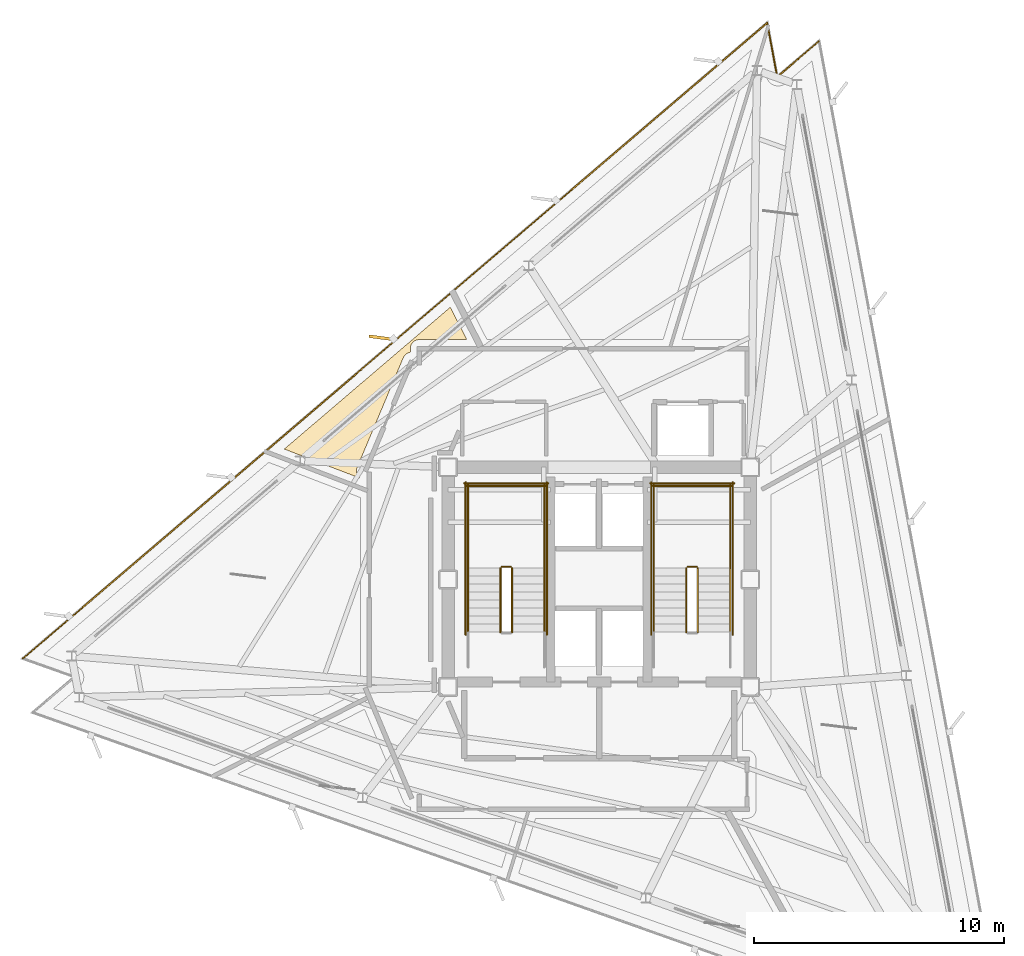
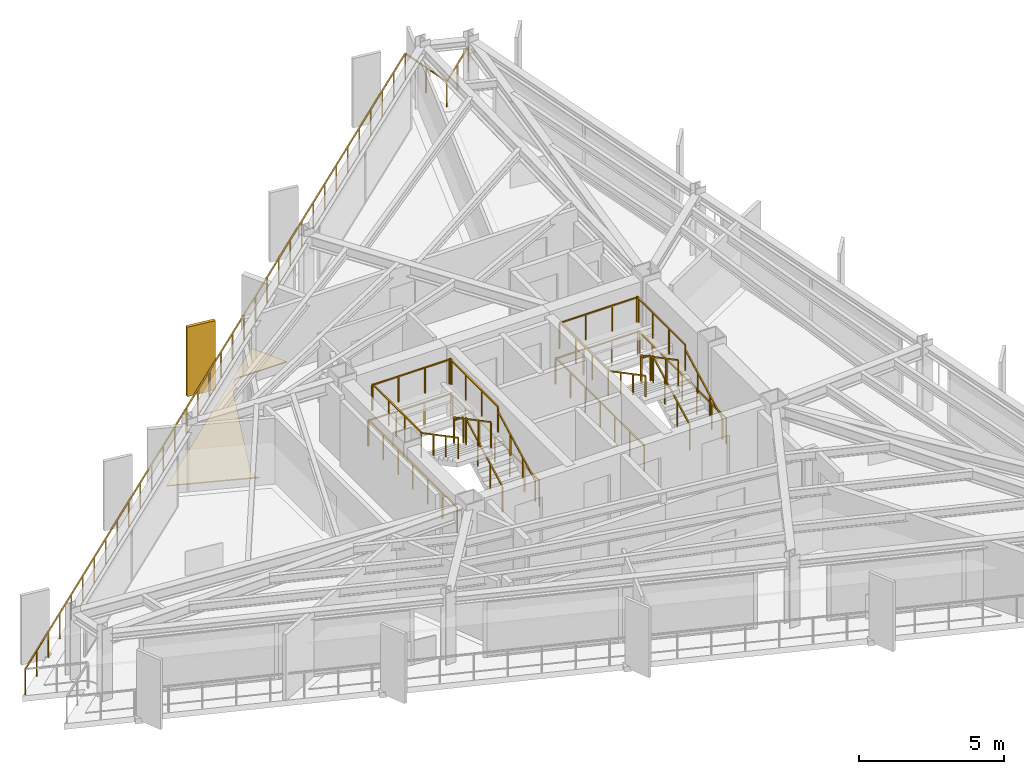
# One storey, part 12 of 14: 23 railings, 1 covering, 1 shading device.
"""IFC4 building model written with IfcOpenShell, lengths in metres."""

from ifc_helpers import new_model, si_unit, direction, frame, origin, origin_2d, place, context, subcontext, project, spatial, polyline, rectangle, outline, extrude, material, layer, layer_set, type_object, element, save


model = new_model("IFC4")

# Units and contexts
model_context = context("Model", 3, precision=1e-05, world=origin(), true_north=direction((0.0, 1.0)))
body_context = subcontext(model_context, "Body", "Model", "MODEL_VIEW")
ifc_project = project(units=[si_unit("LENGTHUNIT", "METRE"), si_unit("AREAUNIT", "SQUARE_METRE"), si_unit("VOLUMEUNIT", "CUBIC_METRE"), si_unit("PLANEANGLEUNIT", "RADIAN"), si_unit("MASSUNIT", "GRAM", prefix="KILO")], contexts=[model_context])

# Site, building, storey
site_placement = place(None, origin())
site = spatial("IfcSite", under=ifc_project, at=site_placement, CompositionType="ELEMENT")
building_placement = place(site_placement, origin())
building = spatial("IfcBuilding", under=site, at=building_placement, Name="Rocaltana Carrier Exchange", CompositionType="ELEMENT")
storey_placement = place(building_placement, frame((0.0, 0.0, 178.39990234375)))
storey = spatial("IfcBuildingStorey", under=building, at=storey_placement, Name="L56", CompositionType="ELEMENT", Elevation=178.39990234375)

# Covering
ifc_material_1 = material(Name="Honed Bogota Sandstone Tile", Category="masonry")
ifc_layer_1 = layer(ifc_material_1, 0.0400390625)
ifc_layer_set_1 = layer_set([ifc_layer_1], Name="Honed Bogota Sandstone Tile")
covering_type = type_object("IfcCoveringType", Name="Honed Stone Lobby Flooring 40", PredefinedType="FLOORING", material=ifc_layer_set_1)
covering_placement = place(storey_placement, origin())
element("IfcCovering", 1, at=covering_placement, inside=storey, type_object=covering_type, Name="L56 Client Reception Foyer Finish Floor", PredefinedType="FLOORING", context=body_context, shape_type="SweptSolid", body=[
    extrude(outline(polyline([(-9.571044921875, 4.0595703125), (-12.610595703125, 5.226318359375), (-5.960693359375, 10.90576171875), (-5.300537109375, 9.610107421875), (-7.199951171875, 9.610107421875), (-7.213623046875, 9.609619140625), (-7.2216796875, 9.609375), (-7.248779296875, 9.606689453125), (-7.256591796875, 9.60546875), (-7.28369140625, 9.60009765625), (-7.291259765625, 9.59814453125), (-7.317626953125, 9.590087890625), (-7.324951171875, 9.58740234375), (-7.350341796875, 9.576904296875), (-7.357421875, 9.57373046875), (-7.381591796875, 9.560791015625), (-7.388427734375, 9.556640625), (-7.4111328125, 9.54150390625), (-7.41748046875, 9.53662109375), (-7.438720703125, 9.519287109375), (-7.444580078125, 9.513916015625), (-7.464111328125, 9.49462890625), (-7.46923828125, 9.48876953125), (-7.48681640625, 9.467529296875), (-7.491455078125, 9.461181640625), (-7.506591796875, 9.4384765625), (-7.5107421875, 9.431640625), (-7.523681640625, 9.407470703125), (-7.527099609375, 9.400390625), (-7.53759765625, 9.375), (-7.540283203125, 9.36767578125), (-7.548095703125, 9.34130859375), (-7.550048828125, 9.33349609375), (-7.555419921875, 9.306640625), (-7.556640625, 9.298828125), (-7.559326171875, 9.271484375), (-7.559814453125, 9.263671875), (-7.56005859375, 9.25), (-7.56005859375, 9.106689453125), (-7.563720703125, 9.106201171875), (-7.5908203125, 9.100830078125), (-7.598388671875, 9.09912109375), (-7.624755859375, 9.09130859375), (-7.632080078125, 9.088623046875), (-7.65771484375, 9.078125), (-7.664794921875, 9.074951171875), (-7.68896484375, 9.06201171875), (-7.69580078125, 9.05810546875), (-7.71875, 9.04296875), (-7.72509765625, 9.038330078125), (-7.746337890625, 9.02099609375), (-7.752197265625, 9.015625), (-7.771728515625, 8.996337890625), (-7.777099609375, 8.990478515625), (-7.794677734375, 8.969482421875), (-7.79931640625, 8.963134765625), (-7.814697265625, 8.9404296875), (-7.818603515625, 8.93359375), (-7.831787109375, 8.909423828125), (-7.835205078125, 8.90234375), (-7.8408203125, 8.889892578125), (-9.69091796875, 4.489990234375), (-9.69580078125, 4.47705078125), (-9.698486328125, 4.4697265625), (-9.706787109375, 4.443603515625), (-9.70849609375, 4.435791015625), (-9.714111328125, 4.408935546875), (-9.71533203125, 4.401123046875), (-9.71826171875, 4.373779296875), (-9.718505859375, 4.365966796875), (-9.71875, 4.33837890625), (-9.718505859375, 4.330810546875), (-9.7158203125, 4.30322265625), (-9.714599609375, 4.295654296875), (-9.70947265625, 4.2685546875), (-9.70751953125, 4.260986328125), (-9.69970703125, 4.234619140625), (-9.697265625, 4.227294921875), (-9.686767578125, 4.201904296875), (-9.68359375, 4.194580078125), (-9.670654296875, 4.17041015625), (-9.666748046875, 4.16357421875), (-9.651611328125, 4.140625), (-9.64697265625, 4.134521484375), (-9.629638671875, 4.113037109375), (-9.624267578125, 4.107177734375), (-9.60498046875, 4.087646484375), (-9.59912109375, 4.082275390625), (-9.578125, 4.064697265625), (-9.57177734375, 4.06005859375), (-9.571044921875, 4.0595703125)])), origin(), (0.0, 0.0, 1.0), 0.0400390625),
])

# Railings
ifc_material_2 = material(Name="Brushed Architectural Stainless Tube", Category="steel")
ifc_layer_2 = layer(ifc_material_2, 0.048095703125)
ifc_layer_set_2 = layer_set([ifc_layer_2], Name="Brushed Architectural Stainless Tube")
railing_type_1 = type_object("IfcRailingType", Name="Stair Wall Handrail 920", PredefinedType="HANDRAIL", material=ifc_layer_set_2)
railing_1_placement = place(storey_placement, frame((-2.18994140625, -2.10009765625, 0.1689453125)))
element("IfcRailing", 2, at=railing_1_placement, inside=storey, type_object=railing_type_1, Name="L56 ST-1 stair handrail 1", PredefinedType="HANDRAIL", context=body_context, shape_type="SweptSolid", body=[
    extrude(rectangle(XDim=0.048095703125, YDim=0.048095703125, at=origin_2d()), frame((0.0, 0.0, 0.8759765625), z_axis=(0.0, 0.884394423565, 0.466740295633), x_axis=(-1.0, 0.0, 0.0)), (0.0, 0.0, 1.0), 2.894775390625),
    extrude(rectangle(XDim=0.0419921875, YDim=0.0419921875, at=origin_2d()), origin(), (0.0, 0.0, 1.0), 0.851806640625),
    extrude(rectangle(XDim=0.0419921875, YDim=0.0419921875, at=origin_2d()), frame((0.0, 0.853271484375, 0.450439453125)), (0.0, 0.0, 1.0), 0.851806640625),
    extrude(rectangle(XDim=0.0419921875, YDim=0.0419921875, at=origin_2d()), frame((0.0, 1.706787109375, 0.900634765625)), (0.0, 0.0, 1.0), 0.851806640625),
    extrude(rectangle(XDim=0.0419921875, YDim=0.0419921875, at=origin_2d()), frame((0.0, 2.56005859375, 1.35107421875)), (0.0, 0.0, 1.0), 0.851806640625),
])
railing_2_placement = place(storey_placement, frame((-5.25, 0.4599609375, 1.68896484375)))
element("IfcRailing", 3, at=railing_2_placement, inside=storey, type_object=railing_type_1, Name="L56 ST-1 stair handrail 2", PredefinedType="HANDRAIL", context=body_context, shape_type="SweptSolid", body=[
    extrude(rectangle(XDim=0.048095703125, YDim=0.048095703125, at=origin_2d()), frame((0.0, 0.0, 0.8759765625), z_axis=(0.0, -0.884394423565, 0.466740295633), x_axis=(1.0, 0.0, 0.0)), (0.0, 0.0, 1.0), 2.894775390625),
    extrude(rectangle(XDim=0.0419921875, YDim=0.0419921875, at=origin_2d()), origin(), (0.0, 0.0, 1.0), 0.851806640625),
    extrude(rectangle(XDim=0.0419921875, YDim=0.0419921875, at=origin_2d()), frame((0.0, -0.853271484375, 0.450439453125)), (0.0, 0.0, 1.0), 0.851806640625),
    extrude(rectangle(XDim=0.0419921875, YDim=0.0419921875, at=origin_2d()), frame((0.0, -1.706787109375, 0.900634765625)), (0.0, 0.0, 1.0), 0.851806640625),
    extrude(rectangle(XDim=0.0419921875, YDim=0.0419921875, at=origin_2d()), frame((0.0, -2.56005859375, 1.35107421875)), (0.0, 0.0, 1.0), 0.851806640625),
])
railing_3_placement = place(storey_placement, frame((5.25, -2.10009765625, 0.1689453125)))
element("IfcRailing", 4, at=railing_3_placement, inside=storey, type_object=railing_type_1, Name="L56 ST-2 stair handrail 1", PredefinedType="HANDRAIL", context=body_context, shape_type="SweptSolid", body=[
    extrude(rectangle(XDim=0.048095703125, YDim=0.048095703125, at=origin_2d()), frame((0.0, 0.0, 0.8759765625), z_axis=(0.0, 0.884394423565, 0.466740295633), x_axis=(-1.0, 0.0, 0.0)), (0.0, 0.0, 1.0), 2.894775390625),
    extrude(rectangle(XDim=0.0419921875, YDim=0.0419921875, at=origin_2d()), origin(), (0.0, 0.0, 1.0), 0.851806640625),
    extrude(rectangle(XDim=0.0419921875, YDim=0.0419921875, at=origin_2d()), frame((0.0, 0.853271484375, 0.450439453125)), (0.0, 0.0, 1.0), 0.851806640625),
    extrude(rectangle(XDim=0.0419921875, YDim=0.0419921875, at=origin_2d()), frame((0.0, 1.706787109375, 0.900634765625)), (0.0, 0.0, 1.0), 0.851806640625),
    extrude(rectangle(XDim=0.0419921875, YDim=0.0419921875, at=origin_2d()), frame((0.0, 2.56005859375, 1.35107421875)), (0.0, 0.0, 1.0), 0.851806640625),
])
railing_4_placement = place(storey_placement, frame((2.18994140625, 0.4599609375, 1.68896484375)))
element("IfcRailing", 5, at=railing_4_placement, inside=storey, type_object=railing_type_1, Name="L56 ST-2 stair handrail 2", PredefinedType="HANDRAIL", context=body_context, shape_type="SweptSolid", body=[
    extrude(rectangle(XDim=0.048095703125, YDim=0.048095703125, at=origin_2d()), frame((0.0, 0.0, 0.8759765625), z_axis=(0.0, -0.884394423565, 0.466740295633), x_axis=(1.0, 0.0, 0.0)), (0.0, 0.0, 1.0), 2.894775390625),
    extrude(rectangle(XDim=0.0419921875, YDim=0.0419921875, at=origin_2d()), origin(), (0.0, 0.0, 1.0), 0.851806640625),
    extrude(rectangle(XDim=0.0419921875, YDim=0.0419921875, at=origin_2d()), frame((0.0, -0.853271484375, 0.450439453125)), (0.0, 0.0, 1.0), 0.851806640625),
    extrude(rectangle(XDim=0.0419921875, YDim=0.0419921875, at=origin_2d()), frame((0.0, -1.706787109375, 0.900634765625)), (0.0, 0.0, 1.0), 0.851806640625),
    extrude(rectangle(XDim=0.0419921875, YDim=0.0419921875, at=origin_2d()), frame((0.0, -2.56005859375, 1.35107421875)), (0.0, 0.0, 1.0), 0.851806640625),
])
ifc_material_3 = material(Name="Powder-Coated Aluminium 6063-T6", Category="aluminium")
ifc_layer_3 = layer(ifc_material_3, 0.048095703125)
ifc_layer_set_3 = layer_set([ifc_layer_3], Name="Powder-Coated Aluminium 6063-T6")
railing_type_2 = type_object("IfcRailingType", Name="Stair Well Guardrail 1100", PredefinedType="GUARDRAIL", material=ifc_layer_set_3)
railing_5_placement = place(storey_placement, frame((-3.489990234375, -2.10009765625, 0.1689453125)))
element("IfcRailing", 6, at=railing_5_placement, inside=storey, type_object=railing_type_2, Name="L56 ST-1 stair guard 1", PredefinedType="GUARDRAIL", context=body_context, shape_type="SweptSolid", body=[
    extrude(rectangle(XDim=0.048095703125, YDim=0.048095703125, at=origin_2d()), frame((0.0, 0.0, 1.076171875), z_axis=(0.0, 0.884394423565, 0.466740295633), x_axis=(-1.0, 0.0, 0.0)), (0.0, 0.0, 1.0), 2.894775390625),
    extrude(rectangle(XDim=0.0419921875, YDim=0.0419921875, at=origin_2d()), origin(), (0.0, 0.0, 1.0), 1.052001953125),
    extrude(rectangle(XDim=0.0419921875, YDim=0.0419921875, at=origin_2d()), frame((0.0, 0.853271484375, 0.450439453125)), (0.0, 0.0, 1.0), 1.052001953125),
    extrude(rectangle(XDim=0.0419921875, YDim=0.0419921875, at=origin_2d()), frame((0.0, 1.706787109375, 0.900634765625)), (0.0, 0.0, 1.0), 1.052001953125),
    extrude(rectangle(XDim=0.0419921875, YDim=0.0419921875, at=origin_2d()), frame((0.0, 2.56005859375, 1.35107421875)), (0.0, 0.0, 1.0), 1.052001953125),
])
railing_6_placement = place(storey_placement, frame((-3.5400390625, 0.510009765625, 1.52001953125)))
element("IfcRailing", 7, at=railing_6_placement, inside=storey, type_object=railing_type_2, Name="L56 ST-1 stair guard 2", PredefinedType="GUARDRAIL", context=body_context, shape_type="SweptSolid", body=[
    extrude(rectangle(XDim=0.048095703125, YDim=0.048095703125, at=origin_2d()), frame((0.0, 0.0, 1.076171875), z_axis=(-1.0, 0.0, 0.0), x_axis=(0.0, -1.0, 0.0)), (0.0, 0.0, 1.0), 0.35986328125),
    extrude(rectangle(XDim=0.0419921875, YDim=0.0419921875, at=origin_2d()), origin(), (0.0, 0.0, 1.0), 1.052001953125),
    extrude(rectangle(XDim=0.0419921875, YDim=0.0419921875, at=origin_2d()), frame((-0.35986328125, 0.0, 0.0)), (0.0, 0.0, 1.0), 1.052001953125),
])
for number, where, name in (
    (8, (-2.18994140625, 0.4599609375, 1.52001953125), "L56 ST-1 stair guard 3"),
    (9, (-5.25, 0.4599609375, 1.52001953125), "L56 ST-1 stair guard 4"),
):
    element("IfcRailing", number, at=place(storey_placement, frame(where)), inside=storey, type_object=railing_type_2, Name=name, PredefinedType="GUARDRAIL", context=body_context, shape_type="SweptSolid", body=[
        extrude(rectangle(XDim=0.048095703125, YDim=0.048095703125, at=origin_2d()), frame((0.0, 0.0, 1.076171875), z_axis=(0.0, 1.0, 0.0), x_axis=(-1.0, 0.0, 0.0)), (0.0, 0.0, 1.0), 3.340087890625),
        extrude(rectangle(XDim=0.0419921875, YDim=0.0419921875, at=origin_2d()), origin(), (0.0, 0.0, 1.0), 1.052001953125),
        extrude(rectangle(XDim=0.0419921875, YDim=0.0419921875, at=origin_2d()), frame((0.0, 1.11328125, 0.0)), (0.0, 0.0, 1.0), 1.052001953125),
        extrude(rectangle(XDim=0.0419921875, YDim=0.0419921875, at=origin_2d()), frame((0.0, 2.226806640625, 0.0)), (0.0, 0.0, 1.0), 1.052001953125),
        extrude(rectangle(XDim=0.0419921875, YDim=0.0419921875, at=origin_2d()), frame((0.0, 3.340087890625, 0.0)), (0.0, 0.0, 1.0), 1.052001953125),
    ])
railing_7_placement = place(storey_placement, frame((-2.139892578125, 3.75, 1.52001953125)))
element("IfcRailing", 10, at=railing_7_placement, inside=storey, type_object=railing_type_2, Name="L56 ST-1 stair guard 5", PredefinedType="GUARDRAIL", context=body_context, shape_type="SweptSolid", body=[
    extrude(rectangle(XDim=0.048095703125, YDim=0.048095703125, at=origin_2d()), frame((0.0, 0.0, 1.076171875), z_axis=(-1.0, 0.0, 0.0), x_axis=(0.0, -1.0, 0.0)), (0.0, 0.0, 1.0), 3.16015625),
    extrude(rectangle(XDim=0.0419921875, YDim=0.0419921875, at=origin_2d()), origin(), (0.0, 0.0, 1.0), 1.052001953125),
    extrude(rectangle(XDim=0.0419921875, YDim=0.0419921875, at=origin_2d()), frame((-1.053466796875, 0.0, 0.0)), (0.0, 0.0, 1.0), 1.052001953125),
    extrude(rectangle(XDim=0.0419921875, YDim=0.0419921875, at=origin_2d()), frame((-2.106689453125, 0.0, 0.0)), (0.0, 0.0, 1.0), 1.052001953125),
    extrude(rectangle(XDim=0.0419921875, YDim=0.0419921875, at=origin_2d()), frame((-3.16015625, 0.0, 0.0)), (0.0, 0.0, 1.0), 1.052001953125),
])
railing_8_placement = place(storey_placement, frame((-3.949951171875, 0.4599609375, 1.68896484375)))
element("IfcRailing", 11, at=railing_8_placement, inside=storey, type_object=railing_type_2, Name="L56 ST-1 stair guard 6", PredefinedType="GUARDRAIL", context=body_context, shape_type="SweptSolid", body=[
    extrude(rectangle(XDim=0.048095703125, YDim=0.048095703125, at=origin_2d()), frame((0.0, 0.0, 1.076171875), z_axis=(0.0, -0.884394423565, 0.466740295633), x_axis=(1.0, 0.0, 0.0)), (0.0, 0.0, 1.0), 2.894775390625),
    extrude(rectangle(XDim=0.0419921875, YDim=0.0419921875, at=origin_2d()), origin(), (0.0, 0.0, 1.0), 1.052001953125),
    extrude(rectangle(XDim=0.0419921875, YDim=0.0419921875, at=origin_2d()), frame((0.0, -0.853271484375, 0.450439453125)), (0.0, 0.0, 1.0), 1.052001953125),
    extrude(rectangle(XDim=0.0419921875, YDim=0.0419921875, at=origin_2d()), frame((0.0, -1.706787109375, 0.900634765625)), (0.0, 0.0, 1.0), 1.052001953125),
    extrude(rectangle(XDim=0.0419921875, YDim=0.0419921875, at=origin_2d()), frame((0.0, -2.56005859375, 1.35107421875)), (0.0, 0.0, 1.0), 1.052001953125),
])
for number, where, name in (
    (12, (-2.090087890625, -2.199951171875, 0.0), "L56 ST-1 stair guard 10"),
    (13, (-5.35009765625, -2.199951171875, 0.0), "L56 ST-1 stair guard 11"),
):
    element("IfcRailing", number, at=place(storey_placement, frame(where)), inside=storey, type_object=railing_type_2, Name=name, PredefinedType="GUARDRAIL", context=body_context, shape_type="SweptSolid", body=[
        extrude(rectangle(XDim=0.048095703125, YDim=0.048095703125, at=origin_2d()), frame((0.0, 0.0, 1.076171875), z_axis=(0.0, 1.0, 0.0), x_axis=(-1.0, 0.0, 0.0)), (0.0, 0.0, 1.0), 6.099853515625),
        extrude(rectangle(XDim=0.0419921875, YDim=0.0419921875, at=origin_2d()), origin(), (0.0, 0.0, 1.0), 1.052001953125),
        extrude(rectangle(XDim=0.0419921875, YDim=0.0419921875, at=origin_2d()), frame((0.0, 1.0166015625, 0.0)), (0.0, 0.0, 1.0), 1.052001953125),
        extrude(rectangle(XDim=0.0419921875, YDim=0.0419921875, at=origin_2d()), frame((0.0, 2.033203125, 0.0)), (0.0, 0.0, 1.0), 1.052001953125),
        extrude(rectangle(XDim=0.0419921875, YDim=0.0419921875, at=origin_2d()), frame((0.0, 3.0498046875, 0.0)), (0.0, 0.0, 1.0), 1.052001953125),
        extrude(rectangle(XDim=0.0419921875, YDim=0.0419921875, at=origin_2d()), frame((0.0, 4.066650390625, 0.0)), (0.0, 0.0, 1.0), 1.052001953125),
        extrude(rectangle(XDim=0.0419921875, YDim=0.0419921875, at=origin_2d()), frame((0.0, 5.083251953125, 0.0)), (0.0, 0.0, 1.0), 1.052001953125),
        extrude(rectangle(XDim=0.0419921875, YDim=0.0419921875, at=origin_2d()), frame((0.0, 6.099853515625, 0.0)), (0.0, 0.0, 1.0), 1.052001953125),
    ])
railing_9_placement = place(storey_placement, frame((-2.0400390625, 3.85009765625, 0.0)))
element("IfcRailing", 14, at=railing_9_placement, inside=storey, type_object=railing_type_2, Name="L56 ST-1 stair guard 12", PredefinedType="GUARDRAIL", context=body_context, shape_type="SweptSolid", body=[
    extrude(rectangle(XDim=0.048095703125, YDim=0.048095703125, at=origin_2d()), frame((0.0, 0.0, 1.076171875), z_axis=(-1.0, 0.0, 0.0), x_axis=(0.0, -1.0, 0.0)), (0.0, 0.0, 1.0), 3.35986328125),
    extrude(rectangle(XDim=0.0419921875, YDim=0.0419921875, at=origin_2d()), origin(), (0.0, 0.0, 1.0), 1.052001953125),
    extrude(rectangle(XDim=0.0419921875, YDim=0.0419921875, at=origin_2d()), frame((-1.119873046875, 0.0, 0.0)), (0.0, 0.0, 1.0), 1.052001953125),
    extrude(rectangle(XDim=0.0419921875, YDim=0.0419921875, at=origin_2d()), frame((-2.239990234375, 0.0, 0.0)), (0.0, 0.0, 1.0), 1.052001953125),
    extrude(rectangle(XDim=0.0419921875, YDim=0.0419921875, at=origin_2d()), frame((-3.35986328125, 0.0, 0.0)), (0.0, 0.0, 1.0), 1.052001953125),
])
railing_10_placement = place(storey_placement, frame((3.949951171875, -2.10009765625, 0.1689453125)))
element("IfcRailing", 15, at=railing_10_placement, inside=storey, type_object=railing_type_2, Name="L56 ST-2 stair guard 1", PredefinedType="GUARDRAIL", context=body_context, shape_type="SweptSolid", body=[
    extrude(rectangle(XDim=0.048095703125, YDim=0.048095703125, at=origin_2d()), frame((0.0, 0.0, 1.076171875), z_axis=(0.0, 0.884394423565, 0.466740295633), x_axis=(-1.0, 0.0, 0.0)), (0.0, 0.0, 1.0), 2.894775390625),
    extrude(rectangle(XDim=0.0419921875, YDim=0.0419921875, at=origin_2d()), origin(), (0.0, 0.0, 1.0), 1.052001953125),
    extrude(rectangle(XDim=0.0419921875, YDim=0.0419921875, at=origin_2d()), frame((0.0, 0.853271484375, 0.450439453125)), (0.0, 0.0, 1.0), 1.052001953125),
    extrude(rectangle(XDim=0.0419921875, YDim=0.0419921875, at=origin_2d()), frame((0.0, 1.706787109375, 0.900634765625)), (0.0, 0.0, 1.0), 1.052001953125),
    extrude(rectangle(XDim=0.0419921875, YDim=0.0419921875, at=origin_2d()), frame((0.0, 2.56005859375, 1.35107421875)), (0.0, 0.0, 1.0), 1.052001953125),
])
railing_11_placement = place(storey_placement, frame((3.89990234375, 0.510009765625, 1.52001953125)))
element("IfcRailing", 16, at=railing_11_placement, inside=storey, type_object=railing_type_2, Name="L56 ST-2 stair guard 2", PredefinedType="GUARDRAIL", context=body_context, shape_type="SweptSolid", body=[
    extrude(rectangle(XDim=0.048095703125, YDim=0.048095703125, at=origin_2d()), frame((0.0, 0.0, 1.076171875), z_axis=(-1.0, 0.0, 0.0), x_axis=(0.0, -1.0, 0.0)), (0.0, 0.0, 1.0), 0.35986328125),
    extrude(rectangle(XDim=0.0419921875, YDim=0.0419921875, at=origin_2d()), origin(), (0.0, 0.0, 1.0), 1.052001953125),
    extrude(rectangle(XDim=0.0419921875, YDim=0.0419921875, at=origin_2d()), frame((-0.35986328125, 0.0, 0.0)), (0.0, 0.0, 1.0), 1.052001953125),
])
for number, where, name in (
    (17, (5.25, 0.4599609375, 1.52001953125), "L56 ST-2 stair guard 3"),
    (18, (2.18994140625, 0.4599609375, 1.52001953125), "L56 ST-2 stair guard 4"),
):
    element("IfcRailing", number, at=place(storey_placement, frame(where)), inside=storey, type_object=railing_type_2, Name=name, PredefinedType="GUARDRAIL", context=body_context, shape_type="SweptSolid", body=[
        extrude(rectangle(XDim=0.048095703125, YDim=0.048095703125, at=origin_2d()), frame((0.0, 0.0, 1.076171875), z_axis=(0.0, 1.0, 0.0), x_axis=(-1.0, 0.0, 0.0)), (0.0, 0.0, 1.0), 3.340087890625),
        extrude(rectangle(XDim=0.0419921875, YDim=0.0419921875, at=origin_2d()), origin(), (0.0, 0.0, 1.0), 1.052001953125),
        extrude(rectangle(XDim=0.0419921875, YDim=0.0419921875, at=origin_2d()), frame((0.0, 1.11328125, 0.0)), (0.0, 0.0, 1.0), 1.052001953125),
        extrude(rectangle(XDim=0.0419921875, YDim=0.0419921875, at=origin_2d()), frame((0.0, 2.226806640625, 0.0)), (0.0, 0.0, 1.0), 1.052001953125),
        extrude(rectangle(XDim=0.0419921875, YDim=0.0419921875, at=origin_2d()), frame((0.0, 3.340087890625, 0.0)), (0.0, 0.0, 1.0), 1.052001953125),
    ])
railing_12_placement = place(storey_placement, frame((5.300048828125, 3.75, 1.52001953125)))
element("IfcRailing", 19, at=railing_12_placement, inside=storey, type_object=railing_type_2, Name="L56 ST-2 stair guard 5", PredefinedType="GUARDRAIL", context=body_context, shape_type="SweptSolid", body=[
    extrude(rectangle(XDim=0.048095703125, YDim=0.048095703125, at=origin_2d()), frame((0.0, 0.0, 1.076171875), z_axis=(-1.0, 0.0, 0.0), x_axis=(0.0, -1.0, 0.0)), (0.0, 0.0, 1.0), 3.16015625),
    extrude(rectangle(XDim=0.0419921875, YDim=0.0419921875, at=origin_2d()), origin(), (0.0, 0.0, 1.0), 1.052001953125),
    extrude(rectangle(XDim=0.0419921875, YDim=0.0419921875, at=origin_2d()), frame((-1.053466796875, 0.0, 0.0)), (0.0, 0.0, 1.0), 1.052001953125),
    extrude(rectangle(XDim=0.0419921875, YDim=0.0419921875, at=origin_2d()), frame((-2.106689453125, 0.0, 0.0)), (0.0, 0.0, 1.0), 1.052001953125),
    extrude(rectangle(XDim=0.0419921875, YDim=0.0419921875, at=origin_2d()), frame((-3.16015625, 0.0, 0.0)), (0.0, 0.0, 1.0), 1.052001953125),
])
railing_13_placement = place(storey_placement, frame((3.489990234375, 0.4599609375, 1.68896484375)))
element("IfcRailing", 20, at=railing_13_placement, inside=storey, type_object=railing_type_2, Name="L56 ST-2 stair guard 6", PredefinedType="GUARDRAIL", context=body_context, shape_type="SweptSolid", body=[
    extrude(rectangle(XDim=0.048095703125, YDim=0.048095703125, at=origin_2d()), frame((0.0, 0.0, 1.076171875), z_axis=(0.0, -0.884394423565, 0.466740295633), x_axis=(1.0, 0.0, 0.0)), (0.0, 0.0, 1.0), 2.894775390625),
    extrude(rectangle(XDim=0.0419921875, YDim=0.0419921875, at=origin_2d()), origin(), (0.0, 0.0, 1.0), 1.052001953125),
    extrude(rectangle(XDim=0.0419921875, YDim=0.0419921875, at=origin_2d()), frame((0.0, -0.853271484375, 0.450439453125)), (0.0, 0.0, 1.0), 1.052001953125),
    extrude(rectangle(XDim=0.0419921875, YDim=0.0419921875, at=origin_2d()), frame((0.0, -1.706787109375, 0.900634765625)), (0.0, 0.0, 1.0), 1.052001953125),
    extrude(rectangle(XDim=0.0419921875, YDim=0.0419921875, at=origin_2d()), frame((0.0, -2.56005859375, 1.35107421875)), (0.0, 0.0, 1.0), 1.052001953125),
])
for number, where, name in (
    (21, (5.35009765625, -2.199951171875, 0.0), "L56 ST-2 stair guard 10"),
    (22, (2.090087890625, -2.199951171875, 0.0), "L56 ST-2 stair guard 11"),
):
    element("IfcRailing", number, at=place(storey_placement, frame(where)), inside=storey, type_object=railing_type_2, Name=name, PredefinedType="GUARDRAIL", context=body_context, shape_type="SweptSolid", body=[
        extrude(rectangle(XDim=0.048095703125, YDim=0.048095703125, at=origin_2d()), frame((0.0, 0.0, 1.076171875), z_axis=(0.0, 1.0, 0.0), x_axis=(-1.0, 0.0, 0.0)), (0.0, 0.0, 1.0), 6.099853515625),
        extrude(rectangle(XDim=0.0419921875, YDim=0.0419921875, at=origin_2d()), origin(), (0.0, 0.0, 1.0), 1.052001953125),
        extrude(rectangle(XDim=0.0419921875, YDim=0.0419921875, at=origin_2d()), frame((0.0, 1.0166015625, 0.0)), (0.0, 0.0, 1.0), 1.052001953125),
        extrude(rectangle(XDim=0.0419921875, YDim=0.0419921875, at=origin_2d()), frame((0.0, 2.033203125, 0.0)), (0.0, 0.0, 1.0), 1.052001953125),
        extrude(rectangle(XDim=0.0419921875, YDim=0.0419921875, at=origin_2d()), frame((0.0, 3.0498046875, 0.0)), (0.0, 0.0, 1.0), 1.052001953125),
        extrude(rectangle(XDim=0.0419921875, YDim=0.0419921875, at=origin_2d()), frame((0.0, 4.066650390625, 0.0)), (0.0, 0.0, 1.0), 1.052001953125),
        extrude(rectangle(XDim=0.0419921875, YDim=0.0419921875, at=origin_2d()), frame((0.0, 5.083251953125, 0.0)), (0.0, 0.0, 1.0), 1.052001953125),
        extrude(rectangle(XDim=0.0419921875, YDim=0.0419921875, at=origin_2d()), frame((0.0, 6.099853515625, 0.0)), (0.0, 0.0, 1.0), 1.052001953125),
    ])
railing_14_placement = place(storey_placement, frame((5.39990234375, 3.85009765625, 0.0)))
element("IfcRailing", 23, at=railing_14_placement, inside=storey, type_object=railing_type_2, Name="L56 ST-2 stair guard 12", PredefinedType="GUARDRAIL", context=body_context, shape_type="SweptSolid", body=[
    extrude(rectangle(XDim=0.048095703125, YDim=0.048095703125, at=origin_2d()), frame((0.0, 0.0, 1.076171875), z_axis=(-1.0, 0.0, 0.0), x_axis=(0.0, -1.0, 0.0)), (0.0, 0.0, 1.0), 3.35986328125),
    extrude(rectangle(XDim=0.0419921875, YDim=0.0419921875, at=origin_2d()), origin(), (0.0, 0.0, 1.0), 1.052001953125),
    extrude(rectangle(XDim=0.0419921875, YDim=0.0419921875, at=origin_2d()), frame((-1.119873046875, 0.0, 0.0)), (0.0, 0.0, 1.0), 1.052001953125),
    extrude(rectangle(XDim=0.0419921875, YDim=0.0419921875, at=origin_2d()), frame((-2.239990234375, 0.0, 0.0)), (0.0, 0.0, 1.0), 1.052001953125),
    extrude(rectangle(XDim=0.0419921875, YDim=0.0419921875, at=origin_2d()), frame((-3.35986328125, 0.0, 0.0)), (0.0, 0.0, 1.0), 1.052001953125),
])

# Shading device
ifc_material_4 = material(Name="Honed Bogota Sandstone & Concrete C45/55", Category="masonry")
ifc_layer_4 = layer(ifc_material_4, 0.1201171875)
ifc_layer_set_4 = layer_set([ifc_layer_4], Name="Honed Bogota Sandstone & Concrete C45/55")
shading_device_type = type_object("IfcShadingDeviceType", Name="Upper Sandstone Shading Fin 1050x120", PredefinedType="USERDEFINED", material=ifc_layer_set_4)
shading_device_placement = place(storey_placement, frame((-8.6923828125, 9.677978515625, -0.119873046875), z_axis=(0.0, 0.0, 1.0), x_axis=(-0.991444861374, 0.13052619222, 0.0)))
element("IfcShadingDevice", 24, at=shading_device_placement, inside=storey, type_object=shading_device_type, Name="L56 Sandstone Vertical Fin F2-03", ObjectType="FIN", PredefinedType="USERDEFINED", context=body_context, shape_type="SweptSolid", body=[
    extrude(rectangle(XDim=1.050048828125, YDim=0.1201171875, at=origin_2d()), origin(), (0.0, 0.0, 1.0), 2.91796875),
])

# Railing
ifc_material_5 = material(Name="Powder-Coated Aluminium 6063-T6", Category="aluminium")
ifc_layer_5 = layer(ifc_material_5, 0.06005859375)
ifc_layer_set_5 = layer_set([ifc_layer_5], Name="Powder-Coated Aluminium 6063-T6")
railing_type_3 = type_object("IfcRailingType", Name="Wind-Floor & Terrace Perimeter Guardrail 1100", PredefinedType="GUARDRAIL", material=ifc_layer_set_5)
railing_15_placement = place(storey_placement, frame((-23.073486328125, -3.15771484375, 0.0)))
element("IfcRailing", 25, at=railing_15_placement, inside=storey, type_object=railing_type_3, Name="L56 Perimeter Balcony Guardrail 2", PredefinedType="GUARDRAIL", context=body_context, shape_type="SweptSolid", body=[
    extrude(rectangle(XDim=0.048095703125, YDim=0.048095703125, at=origin_2d()), frame((0.0, 0.0, 1.076171875), z_axis=(0.760402646587, 0.649451934375, 0.0), x_axis=(-0.649451934375, 0.760402646587, 0.0)), (0.0, 0.0, 1.0), 39.192138671875),
    extrude(rectangle(XDim=0.048095703125, YDim=0.048095703125, at=origin_2d()), frame((29.8017578125, 25.453369140625, 1.076171875), z_axis=(0.182204491792, -0.983260658814, 0.0), x_axis=(0.983260658814, 0.182204491792, 0.0)), (0.0, 0.0, 1.0), 2.2001953125),
    extrude(rectangle(XDim=0.048095703125, YDim=0.048095703125, at=origin_2d()), frame((30.20263671875, 23.2900390625, 1.076171875), z_axis=(0.760359977453, 0.649501889672, 0.0), x_axis=(-0.649501889672, 0.760359977453, 0.0)), (0.0, 0.0, 1.0), 2.2001953125),
    extrude(rectangle(XDim=0.0419921875, YDim=0.0419921875, at=origin_2d()), origin(), (0.0, 0.0, 1.0), 1.052001953125),
    extrude(rectangle(XDim=0.0419921875, YDim=0.0419921875, at=origin_2d()), frame((0.903076171875, 0.771240234375, 0.0)), (0.0, 0.0, 1.0), 1.052001953125),
    extrude(rectangle(XDim=0.0419921875, YDim=0.0419921875, at=origin_2d()), frame((1.80615234375, 1.542724609375, 0.0)), (0.0, 0.0, 1.0), 1.052001953125),
    extrude(rectangle(XDim=0.0419921875, YDim=0.0419921875, at=origin_2d()), frame((2.709228515625, 2.31396484375, 0.0)), (0.0, 0.0, 1.0), 1.052001953125),
    extrude(rectangle(XDim=0.0419921875, YDim=0.0419921875, at=origin_2d()), frame((3.6123046875, 3.085205078125, 0.0)), (0.0, 0.0, 1.0), 1.052001953125),
    extrude(rectangle(XDim=0.0419921875, YDim=0.0419921875, at=origin_2d()), frame((4.515380859375, 3.856689453125, 0.0)), (0.0, 0.0, 1.0), 1.052001953125),
    extrude(rectangle(XDim=0.0419921875, YDim=0.0419921875, at=origin_2d()), frame((5.41845703125, 4.6279296875, 0.0)), (0.0, 0.0, 1.0), 1.052001953125),
    extrude(rectangle(XDim=0.0419921875, YDim=0.0419921875, at=origin_2d()), frame((6.321533203125, 5.399169921875, 0.0)), (0.0, 0.0, 1.0), 1.052001953125),
    extrude(rectangle(XDim=0.0419921875, YDim=0.0419921875, at=origin_2d()), frame((7.224609375, 6.17041015625, 0.0)), (0.0, 0.0, 1.0), 1.052001953125),
    extrude(rectangle(XDim=0.0419921875, YDim=0.0419921875, at=origin_2d()), frame((8.127685546875, 6.94189453125, 0.0)), (0.0, 0.0, 1.0), 1.052001953125),
    extrude(rectangle(XDim=0.0419921875, YDim=0.0419921875, at=origin_2d()), frame((9.03076171875, 7.713134765625, 0.0)), (0.0, 0.0, 1.0), 1.052001953125),
    extrude(rectangle(XDim=0.0419921875, YDim=0.0419921875, at=origin_2d()), frame((9.933837890625, 8.484375, 0.0)), (0.0, 0.0, 1.0), 1.052001953125),
    extrude(rectangle(XDim=0.0419921875, YDim=0.0419921875, at=origin_2d()), frame((10.8369140625, 9.255859375, 0.0)), (0.0, 0.0, 1.0), 1.052001953125),
    extrude(rectangle(XDim=0.0419921875, YDim=0.0419921875, at=origin_2d()), frame((11.739990234375, 10.027099609375, 0.0)), (0.0, 0.0, 1.0), 1.052001953125),
    extrude(rectangle(XDim=0.0419921875, YDim=0.0419921875, at=origin_2d()), frame((12.64306640625, 10.79833984375, 0.0)), (0.0, 0.0, 1.0), 1.052001953125),
    extrude(rectangle(XDim=0.0419921875, YDim=0.0419921875, at=origin_2d()), frame((13.546142578125, 11.56982421875, 0.0)), (0.0, 0.0, 1.0), 1.052001953125),
    extrude(rectangle(XDim=0.0419921875, YDim=0.0419921875, at=origin_2d()), frame((14.44921875, 12.341064453125, 0.0)), (0.0, 0.0, 1.0), 1.052001953125),
    extrude(rectangle(XDim=0.0419921875, YDim=0.0419921875, at=origin_2d()), frame((15.3525390625, 13.1123046875, 0.0)), (0.0, 0.0, 1.0), 1.052001953125),
    extrude(rectangle(XDim=0.0419921875, YDim=0.0419921875, at=origin_2d()), frame((16.255615234375, 13.883544921875, 0.0)), (0.0, 0.0, 1.0), 1.052001953125),
    extrude(rectangle(XDim=0.0419921875, YDim=0.0419921875, at=origin_2d()), frame((17.15869140625, 14.655029296875, 0.0)), (0.0, 0.0, 1.0), 1.052001953125),
    extrude(rectangle(XDim=0.0419921875, YDim=0.0419921875, at=origin_2d()), frame((18.061767578125, 15.42626953125, 0.0)), (0.0, 0.0, 1.0), 1.052001953125),
    extrude(rectangle(XDim=0.0419921875, YDim=0.0419921875, at=origin_2d()), frame((18.96484375, 16.197509765625, 0.0)), (0.0, 0.0, 1.0), 1.052001953125),
    extrude(rectangle(XDim=0.0419921875, YDim=0.0419921875, at=origin_2d()), frame((19.867919921875, 16.968994140625, 0.0)), (0.0, 0.0, 1.0), 1.052001953125),
    extrude(rectangle(XDim=0.0419921875, YDim=0.0419921875, at=origin_2d()), frame((20.77099609375, 17.740234375, 0.0)), (0.0, 0.0, 1.0), 1.052001953125),
    extrude(rectangle(XDim=0.0419921875, YDim=0.0419921875, at=origin_2d()), frame((21.674072265625, 18.511474609375, 0.0)), (0.0, 0.0, 1.0), 1.052001953125),
    extrude(rectangle(XDim=0.0419921875, YDim=0.0419921875, at=origin_2d()), frame((22.5771484375, 19.282958984375, 0.0)), (0.0, 0.0, 1.0), 1.052001953125),
    extrude(rectangle(XDim=0.0419921875, YDim=0.0419921875, at=origin_2d()), frame((23.480224609375, 20.05419921875, 0.0)), (0.0, 0.0, 1.0), 1.052001953125),
    extrude(rectangle(XDim=0.0419921875, YDim=0.0419921875, at=origin_2d()), frame((24.38330078125, 20.825439453125, 0.0)), (0.0, 0.0, 1.0), 1.052001953125),
    extrude(rectangle(XDim=0.0419921875, YDim=0.0419921875, at=origin_2d()), frame((25.286376953125, 21.5966796875, 0.0)), (0.0, 0.0, 1.0), 1.052001953125),
    extrude(rectangle(XDim=0.0419921875, YDim=0.0419921875, at=origin_2d()), frame((26.189453125, 22.3681640625, 0.0)), (0.0, 0.0, 1.0), 1.052001953125),
    extrude(rectangle(XDim=0.0419921875, YDim=0.0419921875, at=origin_2d()), frame((27.092529296875, 23.139404296875, 0.0)), (0.0, 0.0, 1.0), 1.052001953125),
    extrude(rectangle(XDim=0.0419921875, YDim=0.0419921875, at=origin_2d()), frame((27.99560546875, 23.91064453125, 0.0)), (0.0, 0.0, 1.0), 1.052001953125),
    extrude(rectangle(XDim=0.0419921875, YDim=0.0419921875, at=origin_2d()), frame((28.898681640625, 24.68212890625, 0.0)), (0.0, 0.0, 1.0), 1.052001953125),
    extrude(rectangle(XDim=0.0419921875, YDim=0.0419921875, at=origin_2d()), frame((29.8017578125, 25.453369140625, 0.0)), (0.0, 0.0, 1.0), 1.052001953125),
    extrude(rectangle(XDim=0.0419921875, YDim=0.0419921875, at=origin_2d()), frame((30.002197265625, 24.37158203125, 0.0)), (0.0, 0.0, 1.0), 1.052001953125),
    extrude(rectangle(XDim=0.0419921875, YDim=0.0419921875, at=origin_2d()), frame((30.20263671875, 23.2900390625, 0.0)), (0.0, 0.0, 1.0), 1.052001953125),
    extrude(rectangle(XDim=0.0419921875, YDim=0.0419921875, at=origin_2d()), frame((31.0390625, 24.00439453125, 0.0)), (0.0, 0.0, 1.0), 1.052001953125),
    extrude(rectangle(XDim=0.0419921875, YDim=0.0419921875, at=origin_2d()), frame((31.87548828125, 24.718994140625, 0.0)), (0.0, 0.0, 1.0), 1.052001953125),
])

save(model, "model.ifc")
